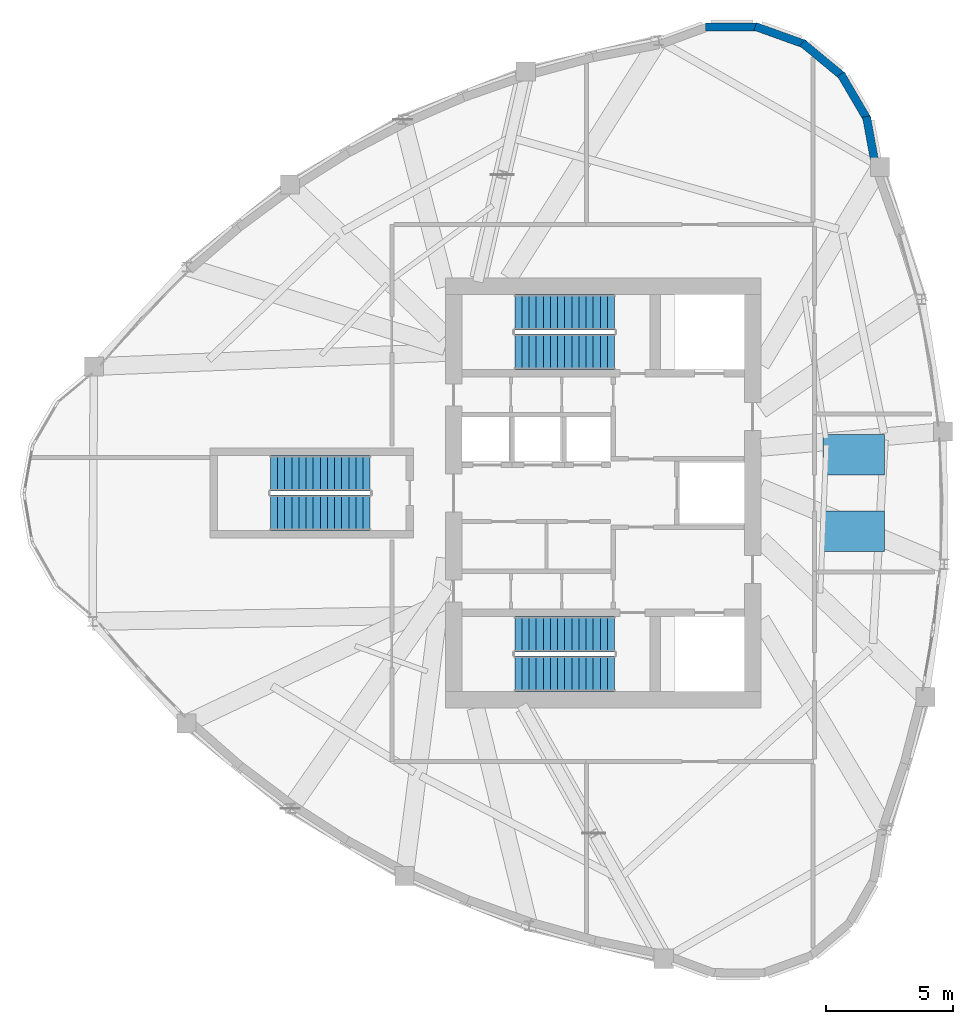
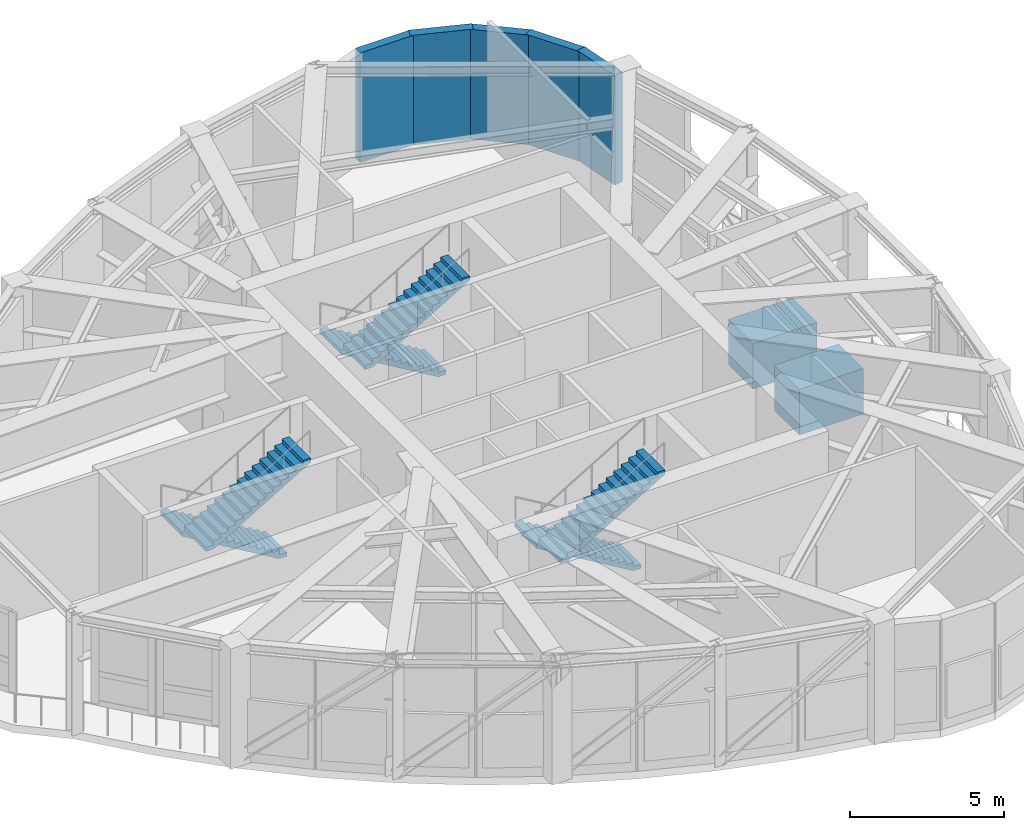
# One storey, part 7 of 10: 6 stair flights, 5 walls, 2 discrete accessories, 3 elements without a shape of their own.
"""IFC4 building model written with IfcOpenShell, lengths in metres."""

from ifc_helpers import new_model, si_unit, direction, frame, frame_2d, origin, origin_2d, place, context, subcontext, project, spatial, polyline, rectangle, outline, extrude, source, transform, mapped, material, layer, layer_set, type_object, element, aggregate, save


model = new_model("IFC4")

# Units and contexts
model_context = context("Model", 3, precision=1e-05, world=origin(), true_north=direction((0.0, 1.0)))
body_context = subcontext(model_context, "Body", "Model", "MODEL_VIEW")
ifc_project = project(units=[si_unit("LENGTHUNIT", "METRE"), si_unit("AREAUNIT", "SQUARE_METRE"), si_unit("VOLUMEUNIT", "CUBIC_METRE"), si_unit("PLANEANGLEUNIT", "RADIAN"), si_unit("MASSUNIT", "GRAM", prefix="KILO")], contexts=[model_context])

# Site, building, storey
site_placement = place(None, origin())
site = spatial("IfcSite", under=ifc_project, at=site_placement, CompositionType="ELEMENT")
building_placement = place(site_placement, origin())
building = spatial("IfcBuilding", under=site, at=building_placement, Name="Qafzar Sky-Pleat Residences", CompositionType="ELEMENT")
storey_placement = place(building_placement, frame((0.0, 0.0, 190.60009765625)))
storey = spatial("IfcBuildingStorey", under=building, at=storey_placement, Name="L57", CompositionType="ELEMENT", Elevation=190.60009765625)

# Walls
ifc_material_1 = material(Name="Precast concrete C40/50 with honed Riyadh limestone", Category="concrete")
ifc_layer = layer(ifc_material_1, 0.320068359375)
ifc_layer_set = layer_set([ifc_layer], Name="Precast concrete C40/50 with honed Riyadh limestone")
wall_type = type_object("IfcWallType", Name="WALL-EXT-320", PredefinedType="SOLIDWALL", material=ifc_layer_set)
wall_1_placement = place(storey_placement, frame((41.041748046875, 38.945556640625, 0.0), z_axis=(0.0, 0.0, 1.0), x_axis=(-0.182373191939, 0.983229382627, 0.0)))
element("IfcWall", 1, at=wall_1_placement, inside=storey, type_object=wall_type, Name="L57 Limestone Facade Wall 33", PredefinedType="SOLIDWALL", context=body_context, shape_type="SweptSolid", body=[
    extrude(rectangle(XDim=1.878173828125, YDim=0.320068359375, at=frame_2d((0.93896484375, 0.0))), origin(), (0.0, 0.0, 1.0), 4.33984375),
])
for number, where, z_axis, x_axis, name in (
    (2, (40.74462890625, 40.670166015625, 0.0), (0.0, 0.0, 1.0), (-0.506312473438, 0.86235009088, 0.0), "L57 Limestone Facade Wall 34"),
    (3, (39.775390625, 42.36572265625, 0.0), (0.0, 0.0, 1.0), (-0.769690471148, 0.63841724493, 0.0), "L57 Limestone Facade Wall 35"),
    (4, (38.28662109375, 43.6298828125, 0.0), (0.0, 0.0, 1.0), (-0.941108549294, 0.338104567323, 0.0), "L57 Limestone Facade Wall 36"),
):
    element("IfcWall", number, at=place(storey_placement, frame(where, z_axis=z_axis, x_axis=x_axis)), inside=storey, type_object=wall_type, Name=name, PredefinedType="SOLIDWALL", context=body_context, shape_type="SweptSolid", body=[
        extrude(rectangle(XDim=2.0810546875, YDim=0.320068359375, at=frame_2d((1.04052734375, 0.0))), origin(), (0.0, 0.0, 1.0), 4.33984375),
    ])
wall_2_placement = place(storey_placement, frame((36.456298828125, 44.311279296875, 0.0), z_axis=(0.0, 0.0, 1.0), x_axis=(-0.999997246765, -0.002346585115, 0.0)))
element("IfcWall", 5, at=wall_2_placement, inside=storey, type_object=wall_type, Name="L57 Limestone Facade Wall 37", PredefinedType="SOLIDWALL", context=body_context, shape_type="SweptSolid", body=[
    extrude(rectangle(XDim=2.080810546875, YDim=0.320068359375, at=frame_2d((1.04052734375, 0.0))), origin(), (0.0, 0.0, 1.0), 4.33984375),
])

# Stair, stair flights
ifc_material_2 = material(Name="Concrete C40/50", Category="concrete")
stair_type = type_object("IfcStairType", Name="STAIR-H500", PredefinedType="HALF_TURN_STAIR", material=ifc_material_2)
stair_1_placement = place(storey_placement, origin())
stair_1 = element("IfcStair", 6, at=stair_1_placement, inside=storey, type_object=stair_type, Name="L57 Protected Exit Stair ST1", PredefinedType="HALF_TURN_STAIR")
stair_flight_type = type_object("IfcStairFlightType", Name="FLIGHT-H500", PredefinedType="STRAIGHT", material=ifc_material_2)
shared_shape_1 = source(origin(), body_context, "Body", "SweptSolid", [
    extrude(outline(polyline([(0.0, 0.0), (0.0, 0.166748046875), (0.280029296875, 0.166748046875), (0.280029296875, 0.333251953125), (0.56005859375, 0.333251953125), (0.56005859375, 0.5), (0.840087890625, 0.5), (0.840087890625, 0.666748046875), (1.1201171875, 0.666748046875), (1.1201171875, 0.833251953125), (1.39990234375, 0.833251953125), (1.39990234375, 1.0), (1.679931640625, 1.0), (1.679931640625, 1.166748046875), (1.9599609375, 1.166748046875), (1.9599609375, 1.333251953125), (2.239990234375, 1.333251953125), (2.239990234375, 1.5), (2.52001953125, 1.5), (2.52001953125, 1.666748046875), (2.800048828125, 1.666748046875), (2.800048828125, 1.833251953125), (3.080078125, 1.833251953125), (3.080078125, 2.0), (3.360107421875, 2.0), (3.360107421875, 2.166748046875), (3.639892578125, 2.166748046875), (3.639892578125, 2.333251953125), (3.919921875, 2.333251953125), (3.919921875, 2.5), (3.919921875, 2.158935546875), (0.29296875, 0.0), (0.0, 0.0)])), frame((0.0, 0.699951171875, 0.0), z_axis=(0.0, -1.0, 0.0), x_axis=(1.0, 0.0, 0.0)), (0.0, 0.0, 1.0), 1.39990234375),
])
stair_flight_1_placement = place(storey_placement, frame((30.800048828125, 20.449951171875, 0.0), z_axis=(0.0, 0.0, 1.0), x_axis=(-1.0, 0.0, 0.0)))
stair_flight_1 = element("IfcStairFlight", 7, at=stair_flight_1_placement, type_object=stair_flight_type, Name="ST1 flight 1", NumberOfRisers=15, NumberOfTreads=14, PredefinedType="STRAIGHT", RiserHeight=0.166666667, TreadLength=0.28, context=body_context, shape_type="MappedRepresentation", body=[
    mapped(shared_shape_1, transform((0.0, 0.0, 0.0), x_axis=(1.0, 0.0, 0.0), y_axis=(0.0, 1.0, 0.0), z_axis=(0.0, 0.0, 1.0), scale=1.0)),
])
stair_flight_2_placement = place(storey_placement, frame((26.8798828125, 18.89990234375, 2.5), z_axis=(0.0, 0.0, 1.0), x_axis=(1.0, 0.0, 0.0)))
stair_flight_2 = element("IfcStairFlight", 8, at=stair_flight_2_placement, type_object=stair_flight_type, Name="ST1 flight 2", NumberOfRisers=15, NumberOfTreads=14, PredefinedType="STRAIGHT", RiserHeight=0.166666667, TreadLength=0.28, context=body_context, shape_type="MappedRepresentation", body=[
    mapped(shared_shape_1, transform((0.0, 0.0, 0.0), x_axis=(1.0, 0.0, 0.0), y_axis=(0.0, 1.0, 0.0), z_axis=(0.0, 0.0, 1.0), scale=1.0)),
])
aggregate(stair_1, [stair_flight_1, stair_flight_2])

stair_2_placement = place(storey_placement, origin())
stair_2 = element("IfcStair", 9, at=stair_2_placement, inside=storey, type_object=stair_type, Name="L57 Protected Exit Stair ST2", PredefinedType="HALF_TURN_STAIR")
stair_flight_3_placement = place(storey_placement, frame((30.800048828125, 33.10009765625, 0.0), z_axis=(0.0, 0.0, 1.0), x_axis=(-1.0, 0.0, 0.0)))
stair_flight_3 = element("IfcStairFlight", 10, at=stair_flight_3_placement, type_object=stair_flight_type, Name="ST2 flight 1", NumberOfRisers=15, NumberOfTreads=14, PredefinedType="STRAIGHT", RiserHeight=0.166666667, TreadLength=0.28, context=body_context, shape_type="MappedRepresentation", body=[
    mapped(shared_shape_1, transform((0.0, 0.0, 0.0), x_axis=(1.0, 0.0, 0.0), y_axis=(0.0, 1.0, 0.0), z_axis=(0.0, 0.0, 1.0), scale=1.0)),
])
stair_flight_4_placement = place(storey_placement, frame((26.8798828125, 31.550048828125, 2.5), z_axis=(0.0, 0.0, 1.0), x_axis=(1.0, 0.0, 0.0)))
stair_flight_4 = element("IfcStairFlight", 11, at=stair_flight_4_placement, type_object=stair_flight_type, Name="ST2 flight 2", NumberOfRisers=15, NumberOfTreads=14, PredefinedType="STRAIGHT", RiserHeight=0.166666667, TreadLength=0.28, context=body_context, shape_type="MappedRepresentation", body=[
    mapped(shared_shape_1, transform((0.0, 0.0, 0.0), x_axis=(1.0, 0.0, 0.0), y_axis=(0.0, 1.0, 0.0), z_axis=(0.0, 0.0, 1.0), scale=1.0)),
])
aggregate(stair_2, [stair_flight_3, stair_flight_4])

stair_3_placement = place(storey_placement, origin())
stair_3 = element("IfcStair", 12, at=stair_3_placement, inside=storey, type_object=stair_type, Name="L57 Protected Exit Stair ST3", PredefinedType="HALF_TURN_STAIR")
stair_flight_5_placement = place(storey_placement, frame((21.199951171875, 26.77490234375, 0.0), z_axis=(0.0, 0.0, 1.0), x_axis=(-1.0, 0.0, 0.0)))
stair_flight_5 = element("IfcStairFlight", 13, at=stair_flight_5_placement, type_object=stair_flight_type, Name="ST3 flight 1", NumberOfRisers=15, NumberOfTreads=14, PredefinedType="STRAIGHT", RiserHeight=0.166666667, TreadLength=0.28, context=body_context, shape_type="MappedRepresentation", body=[
    mapped(shared_shape_1, transform((0.0, 0.0, 0.0), x_axis=(1.0, 0.0, 0.0), y_axis=(0.0, 1.0, 0.0), z_axis=(0.0, 0.0, 1.0), scale=1.0)),
])
stair_flight_6_placement = place(storey_placement, frame((17.280029296875, 25.22509765625, 2.5), z_axis=(0.0, 0.0, 1.0), x_axis=(1.0, 0.0, 0.0)))
stair_flight_6 = element("IfcStairFlight", 14, at=stair_flight_6_placement, type_object=stair_flight_type, Name="ST3 flight 2", NumberOfRisers=15, NumberOfTreads=14, PredefinedType="STRAIGHT", RiserHeight=0.166666667, TreadLength=0.28, context=body_context, shape_type="MappedRepresentation", body=[
    mapped(shared_shape_1, transform((0.0, 0.0, 0.0), x_axis=(1.0, 0.0, 0.0), y_axis=(0.0, 1.0, 0.0), z_axis=(0.0, 0.0, 1.0), scale=1.0)),
])
aggregate(stair_3, [stair_flight_5, stair_flight_6])

# Discrete accessories
ifc_material_3 = material(Name="Steel S355 shrouded wind turbine assembly", Category="steel")
discrete_accessory_type = type_object("IfcDiscreteAccessoryType", Name="ACC-TURBINE-WT1", PredefinedType="BRACKET", material=ifc_material_3)
shared_shape_2 = source(origin(), body_context, "Body", "SweptSolid", [
    extrude(rectangle(XDim=2.39990234375, YDim=1.60009765625, at=origin_2d()), origin(), (0.0, 0.0, 1.0), 1.800048828125),
])
for number, where, z_axis, x_axis, name in (
    (15, (40.199951171875, 24.5, 0.0), (0.0, 0.0, 1.0), (1.0, 0.0, 0.0), "L57 Shrouded Horizontal-Axis Ducted Wind Turbine 1"),
    (16, (40.199951171875, 27.5, 0.0), (0.0, 0.0, 1.0), (1.0, 0.0, 0.0), "L57 Shrouded Horizontal-Axis Ducted Wind Turbine 2"),
):
    element("IfcDiscreteAccessory", number, at=place(storey_placement, frame(where, z_axis=z_axis, x_axis=x_axis)), inside=storey, type_object=discrete_accessory_type, Name=name, PredefinedType="BRACKET", context=body_context, shape_type="MappedRepresentation", body=[
        mapped(shared_shape_2, transform((0.0, 0.0, 0.0), x_axis=(1.0, 0.0, 0.0), y_axis=(0.0, 1.0, 0.0), z_axis=(0.0, 0.0, 1.0), scale=1.0)),
    ])

save(model, "model.ifc")
